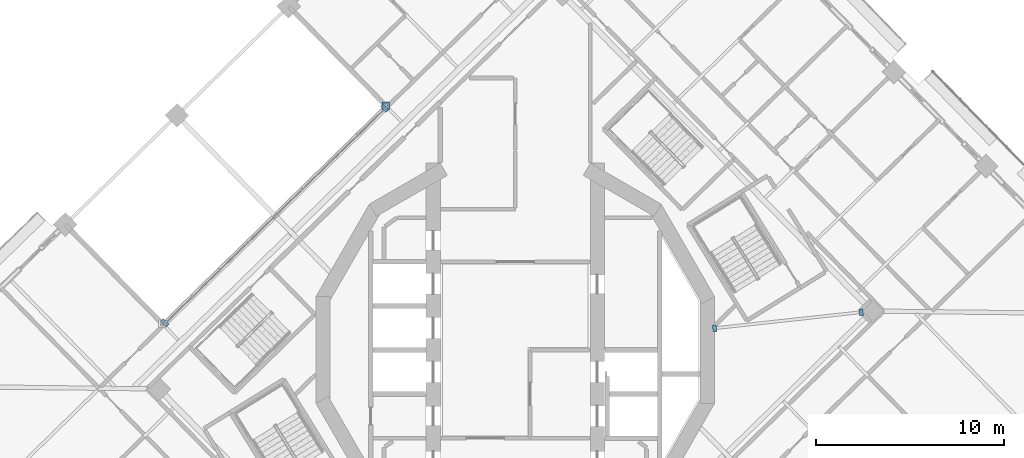
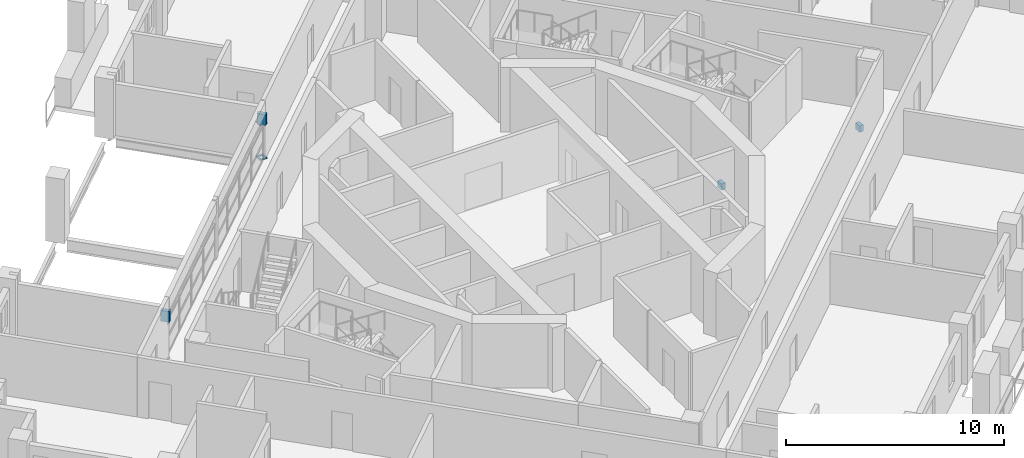
# One storey, part 15 of 21: 6 discrete accessories.
"""IFC4 building model written with IfcOpenShell, lengths in metres."""

from ifc_helpers import new_model, si_unit, direction, frame, origin, place, context, subcontext, project, spatial, polyline, outline, extrude, material, layer, layer_set, type_object, element, save


model = new_model("IFC4")

# Units and contexts
model_context = context("Model", 3, precision=1e-05, world=origin(), true_north=direction((0.0, 1.0)))
body_context = subcontext(model_context, "Body", "Model", "MODEL_VIEW")
ifc_project = project(units=[si_unit("LENGTHUNIT", "METRE"), si_unit("AREAUNIT", "SQUARE_METRE"), si_unit("VOLUMEUNIT", "CUBIC_METRE"), si_unit("PLANEANGLEUNIT", "RADIAN"), si_unit("MASSUNIT", "GRAM", prefix="KILO")], contexts=[model_context])

# Site, building, storey
site_placement = place(None, origin())
site = spatial("IfcSite", under=ifc_project, at=site_placement, CompositionType="ELEMENT")
building_placement = place(site_placement, origin())
building = spatial("IfcBuilding", under=site, at=building_placement, Name="Cantera Rosa Tower", CompositionType="ELEMENT")
storey_placement = place(building_placement, frame((0.0, 0.0, 230.60009765625)))
storey = spatial("IfcBuildingStorey", under=building, at=storey_placement, Name="L50", CompositionType="ELEMENT", Elevation=230.60009765625)

# Discrete accessories
ifc_material = material(Name="Steel ASTM A992 (Fy 345 MPa)", Category="steel")
ifc_layer = layer(ifc_material, 0.0400390625)
ifc_layer_set = layer_set([ifc_layer], Name="STEEL BEARING PLATE 40")
discrete_accessory_type = type_object("IfcDiscreteAccessoryType", Name="STEEL BEARING PLATE 40", PredefinedType="ANCHORPLATE", material=ifc_layer_set)
discrete_accessory_1_placement = place(storey_placement, frame((0.0, 0.0, -0.66015625)))
element("IfcDiscreteAccessory", 1, at=discrete_accessory_1_placement, inside=storey, type_object=discrete_accessory_type, Name="BEARING PLATE PG-Z4-01 end 1 L50", PredefinedType="ANCHORPLATE", context=body_context, shape_type="SweptSolid", body=[
    extrude(outline(polyline([(18.362548828125, 1.828125), (18.5615234375, 1.849853515625), (18.52294921875, 2.20166015625), (18.32421875, 2.179931640625), (18.362548828125, 1.828125)])), origin(), (0.0, 0.0, 1.0), 0.360107421875),
])
discrete_accessory_2_placement = place(storey_placement, frame((0.0, 0.0, -0.66015625)))
element("IfcDiscreteAccessory", 2, at=discrete_accessory_2_placement, inside=storey, type_object=discrete_accessory_type, Name="BEARING PLATE PG-Z4-01 end 2 L50", PredefinedType="ANCHORPLATE", context=body_context, shape_type="SweptSolid", body=[
    extrude(outline(polyline([(10.705322265625, 1.34765625), (10.506591796875, 1.325927734375), (10.544921875, 0.97412109375), (10.743896484375, 0.99560546875), (10.705322265625, 1.34765625)])), origin(), (0.0, 0.0, 1.0), 0.360107421875),
])
discrete_accessory_3_placement = place(storey_placement, origin())
element("IfcDiscreteAccessory", 3, at=discrete_accessory_3_placement, inside=storey, type_object=discrete_accessory_type, Name="POST PLATE L50-1F", PredefinedType="ANCHORPLATE", context=body_context, shape_type="SweptSolid", body=[
    extrude(outline(polyline([(-7.11279296875, 12.828369140625), (-6.712890625, 12.828369140625), (-6.712890625, 13.228515625), (-7.11279296875, 13.228515625), (-7.11279296875, 12.828369140625)]), holes=[polyline([(-7.012939453125, 12.928466796875), (-6.81298828125, 12.928466796875), (-6.81298828125, 13.12841796875), (-7.012939453125, 13.12841796875), (-7.012939453125, 12.928466796875)])]), origin(), (0.0, 0.0, 1.0), 0.039794921875),
])
discrete_accessory_4_placement = place(storey_placement, frame((0.0, 0.0, 1.949951171875)))
element("IfcDiscreteAccessory", 4, at=discrete_accessory_4_placement, inside=storey, type_object=discrete_accessory_type, Name="POST PLATE L50-1T", PredefinedType="ANCHORPLATE", context=body_context, shape_type="SweptSolid", body=[
    extrude(outline(polyline([(-7.11279296875, 12.828369140625), (-6.712890625, 12.828369140625), (-6.712890625, 13.228515625), (-7.11279296875, 13.228515625), (-7.11279296875, 12.828369140625)]), holes=[polyline([(-7.012939453125, 12.928466796875), (-6.81298828125, 12.928466796875), (-6.81298828125, 13.12841796875), (-7.012939453125, 13.12841796875), (-7.012939453125, 12.928466796875)])]), origin(), (0.0, 0.0, 1.0), 0.0400390625),
])
discrete_accessory_5_placement = place(storey_placement, frame((0.0, 0.0, 1.989990234375)))
element("IfcDiscreteAccessory", 5, at=discrete_accessory_5_placement, inside=storey, type_object=discrete_accessory_type, Name="LINTEL PLATE L50-1", PredefinedType="ANCHORPLATE", context=body_context, shape_type="SweptSolid", body=[
    extrude(outline(polyline([(-6.889404296875, 12.682373046875), (-6.746337890625, 12.822021484375), (-7.04541015625, 13.12841796875), (-7.1884765625, 12.988525390625), (-6.889404296875, 12.682373046875)])), origin(), (0.0, 0.0, 1.0), 0.601806640625),
])
discrete_accessory_6_placement = place(storey_placement, frame((0.0, 0.0, 1.989990234375)))
element("IfcDiscreteAccessory", 6, at=discrete_accessory_6_placement, inside=storey, type_object=discrete_accessory_type, Name="LINTEL PLATE L50-2", PredefinedType="ANCHORPLATE", context=body_context, shape_type="SweptSolid", body=[
    extrude(outline(polyline([(-18.768798828125, 1.67431640625), (-18.912109375, 1.53466796875), (-18.61279296875, 1.228515625), (-18.4697265625, 1.368408203125), (-18.768798828125, 1.67431640625)])), origin(), (0.0, 0.0, 1.0), 0.601806640625),
])

save(model, "model.ifc")
